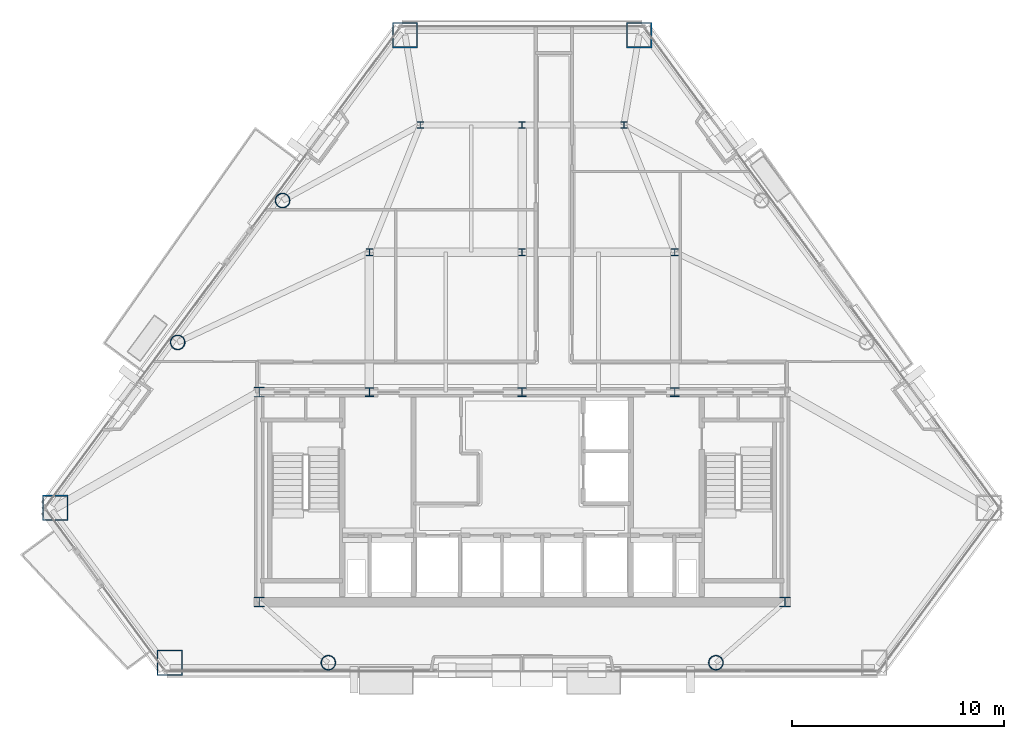
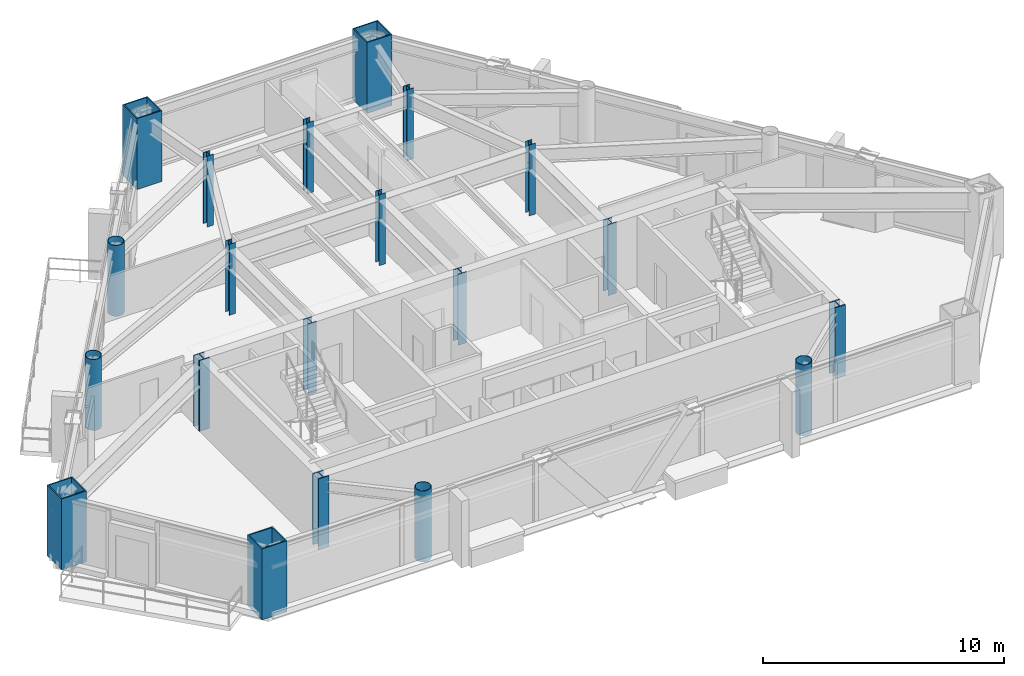
# One storey, part 1 of 11: 20 columns.
"""IFC4 building model written with IfcOpenShell, lengths in metres."""

from ifc_helpers import new_model, si_unit, direction, frame, origin, origin_2d, place, context, subcontext, project, spatial, hollow_rectangle, hollow_circle, i_section, extrude, material, material_profile, profile_set, type_object, element, save


model = new_model("IFC4")

# Units and contexts
model_context = context("Model", 3, precision=1e-05, world=origin(), true_north=direction((0.0, 1.0)))
body_context = subcontext(model_context, "Body", "Model", "MODEL_VIEW")
ifc_project = project(units=[si_unit("LENGTHUNIT", "METRE"), si_unit("AREAUNIT", "SQUARE_METRE"), si_unit("VOLUMEUNIT", "CUBIC_METRE"), si_unit("PLANEANGLEUNIT", "RADIAN"), si_unit("MASSUNIT", "GRAM", prefix="KILO")], contexts=[model_context])

# Site, building, storey
site_placement = place(None, origin())
site = spatial("IfcSite", under=ifc_project, at=site_placement, CompositionType="ELEMENT")
building_placement = place(site_placement, origin())
building = spatial("IfcBuilding", under=site, at=building_placement, Name="Talgorran Terracotta Tower", CompositionType="ELEMENT")
storey_placement = place(building_placement, frame((0.0, 0.0, 114.0)))
storey = spatial("IfcBuildingStorey", under=building, at=storey_placement, Name="L29", CompositionType="ELEMENT", Elevation=114.0)

# Columns
ifc_material_1 = material(Name="Steel S355 (300PLUS)", Category="steel")
ifc_material_profile_1 = material_profile(ifc_material_1, i_section(OverallWidth=0.311279296875, OverallDepth=0.3271484375, WebThickness=0.015625, FlangeThickness=0.02490234375, at=origin_2d()), Name="310UC158")
ifc_profile_set_1 = profile_set([ifc_material_profile_1], Name="Steel S355 (300PLUS)")
column_type_1 = type_object("IfcColumnType", Name="COL_310UC158", PredefinedType="COLUMN", material=ifc_profile_set_1)
for number, where, z_axis, x_axis, name in (
    (1, (-7.199951171875, 2.39990234375, 0.0), (0.0, 0.0, 1.0), (1.0, 0.0, 0.0), "L29 Interior Gravity Column IC1"),
    (2, (0.0, 2.39990234375, 0.0), (0.0, 0.0, 1.0), (1.0, 0.0, 0.0), "L29 Interior Gravity Column IC2"),
    (3, (7.199951171875, 2.39990234375, 0.0), (0.0, 0.0, 1.0), (1.0, 0.0, 0.0), "L29 Interior Gravity Column IC3"),
    (4, (-4.800048828125, 8.39990234375, 0.0), (0.0, 0.0, 1.0), (1.0, 0.0, 0.0), "L29 Interior Gravity Column IC4"),
    (5, (0.0, 8.39990234375, 0.0), (0.0, 0.0, 1.0), (1.0, 0.0, 0.0), "L29 Interior Gravity Column IC5"),
    (6, (4.800048828125, 8.39990234375, 0.0), (0.0, 0.0, 1.0), (1.0, 0.0, 0.0), "L29 Interior Gravity Column IC6"),
):
    element("IfcColumn", number, at=place(storey_placement, frame(where, z_axis=z_axis, x_axis=x_axis)), inside=storey, type_object=column_type_1, Name=name, PredefinedType="COLUMN", context=body_context, shape_type="SweptSolid", body=[
        extrude(i_section(OverallWidth=0.311279296875, OverallDepth=0.3271484375, WebThickness=0.015625, FlangeThickness=0.02490234375, at=origin_2d()), origin(), (0.0, 0.0, 1.0), 3.60009765625),
    ])
ifc_material_profile_2 = material_profile(ifc_material_1, i_section(OverallWidth=0.5, OverallDepth=0.48193359375, WebThickness=0.0400390625, FlangeThickness=0.044921875, at=origin_2d()), Name="500WC440")
ifc_profile_set_2 = profile_set([ifc_material_profile_2], Name="Steel S355 (300PLUS)")
column_type_2 = type_object("IfcColumnType", Name="COL_500WC440", PredefinedType="COLUMN", material=ifc_profile_set_2)
for number, where, z_axis, x_axis, name in (
    (7, (-12.39990234375, -14.10009765625, 0.0), (0.0, 0.0, 1.0), (1.0, 0.0, 0.0), "L29 Core Boundary Column CC1"),
    (8, (12.39990234375, -14.10009765625, 0.0), (0.0, 0.0, 1.0), (1.0, 0.0, 0.0), "L29 Core Boundary Column CC2"),
    (9, (-12.39990234375, -4.199951171875, 0.0), (0.0, 0.0, 1.0), (1.0, 0.0, 0.0), "L29 Core Boundary Column CC4"),
):
    element("IfcColumn", number, at=place(storey_placement, frame(where, z_axis=z_axis, x_axis=x_axis)), inside=storey, type_object=column_type_2, Name=name, PredefinedType="COLUMN", context=body_context, shape_type="SweptSolid", body=[
        extrude(i_section(OverallWidth=0.5, OverallDepth=0.48193359375, WebThickness=0.0400390625, FlangeThickness=0.044921875, at=origin_2d()), origin(), (0.0, 0.0, 1.0), 3.60009765625),
    ])
ifc_material_2 = material(Name="Steel Grade 350 (350L0)", Category="steel")
ifc_material_profile_3 = material_profile(ifc_material_2, hollow_rectangle(XDim=1.199951171875, YDim=1.199951171875, WallThickness=0.054931640625, at=origin_2d()), Name="CFT1200X1200X55")
ifc_profile_set_3 = profile_set([ifc_material_profile_3], Name="Steel Grade 350 (350L0)")
column_type_3 = type_object("IfcColumnType", Name="COL_CFT_1200", PredefinedType="COLUMN", material=ifc_profile_set_3)
for number, where, z_axis, x_axis, name in (
    (10, (-22.0185546875, -9.661865234375, 0.0), (0.0, 0.0, 1.0), (1.0, 0.0, 0.0), "L29 Corner CFT Mega-Column MC1"),
    (11, (-16.618408203125, -16.96337890625, 0.0), (0.0, 0.0, 1.0), (1.0, 0.0, 0.0), "L29 Corner CFT Mega-Column MC2"),
    (12, (5.5224609375, 12.641845703125, 0.0), (0.0, 0.0, 1.0), (1.0, 0.0, 0.0), "L29 Corner CFT Mega-Column MC5"),
    (13, (-5.5224609375, 12.641845703125, 0.0), (0.0, 0.0, 1.0), (1.0, 0.0, 0.0), "L29 Corner CFT Mega-Column MC6"),
):
    element("IfcColumn", number, at=place(storey_placement, frame(where, z_axis=z_axis, x_axis=x_axis)), inside=storey, type_object=column_type_3, Name=name, PredefinedType="COLUMN", context=body_context, shape_type="SweptSolid", body=[
        extrude(hollow_rectangle(XDim=1.199951171875, YDim=1.199951171875, WallThickness=0.054931640625, at=origin_2d()), origin(), (0.0, 0.0, 1.0), 3.60009765625),
    ])
ifc_material_profile_4 = material_profile(ifc_material_2, hollow_circle(Radius=0.35009765625, WallThickness=0.030029296875, at=origin_2d()), Name="CHS700X30")
ifc_profile_set_4 = profile_set([ifc_material_profile_4], Name="Steel Grade 350 (350L0)")
column_type_4 = type_object("IfcColumnType", Name="COL_CHS_700", PredefinedType="COLUMN", material=ifc_profile_set_4)
for number, where, z_axis, x_axis, name in (
    (14, (-9.14013671875, -16.96337890625, 0.0), (0.0, 0.0, 1.0), (1.0, 0.0, 0.0), "L29 Facet Perimeter Column FC1"),
    (15, (9.14013671875, -16.96337890625, 0.0), (0.0, 0.0, 1.0), (1.0, 0.0, 0.0), "L29 Facet Perimeter Column FC2"),
    (16, (-11.296142578125, 4.835693359375, 0.0), (0.0, 0.0, 1.0), (1.0, 0.0, 0.0), "L29 Facet Perimeter Column FC5"),
    (17, (-16.244873046875, -1.855712890625, 0.0), (0.0, 0.0, 1.0), (1.0, 0.0, 0.0), "L29 Facet Perimeter Column FC6"),
):
    element("IfcColumn", number, at=place(storey_placement, frame(where, z_axis=z_axis, x_axis=x_axis)), inside=storey, type_object=column_type_4, Name=name, PredefinedType="COLUMN", context=body_context, shape_type="SweptSolid", body=[
        extrude(hollow_circle(Radius=0.35009765625, WallThickness=0.030029296875, at=origin_2d()), origin(), (0.0, 0.0, 1.0), 3.60009765625),
    ])
ifc_material_profile_5 = material_profile(ifc_material_1, i_section(OverallWidth=0.405029296875, OverallDepth=0.4140625, WebThickness=0.02197265625, FlangeThickness=0.031982421875, at=origin_2d()), Name="400WC270")
ifc_profile_set_5 = profile_set([ifc_material_profile_5], Name="Steel S355 (300PLUS)")
column_type_5 = type_object("IfcColumnType", Name="COL_PIL_400WC270", PredefinedType="PILASTER", material=ifc_profile_set_5)
for number, where, z_axis, x_axis, name in (
    (18, (-7.199951171875, -4.199951171875, 0.0), (0.0, 0.0, 1.0), (1.0, 0.0, 0.0), "L29 Core Shear Pilaster CP1"),
    (19, (0.0, -4.199951171875, 0.0), (0.0, 0.0, 1.0), (1.0, 0.0, 0.0), "L29 Core Shear Pilaster CP2"),
    (20, (7.199951171875, -4.199951171875, 0.0), (0.0, 0.0, 1.0), (1.0, 0.0, 0.0), "L29 Core Shear Pilaster CP3"),
):
    element("IfcColumn", number, at=place(storey_placement, frame(where, z_axis=z_axis, x_axis=x_axis)), inside=storey, type_object=column_type_5, Name=name, PredefinedType="PILASTER", context=body_context, shape_type="SweptSolid", body=[
        extrude(i_section(OverallWidth=0.405029296875, OverallDepth=0.4140625, WebThickness=0.02197265625, FlangeThickness=0.031982421875, at=origin_2d()), origin(), (0.0, 0.0, 1.0), 3.60009765625),
    ])

save(model, "model.ifc")
